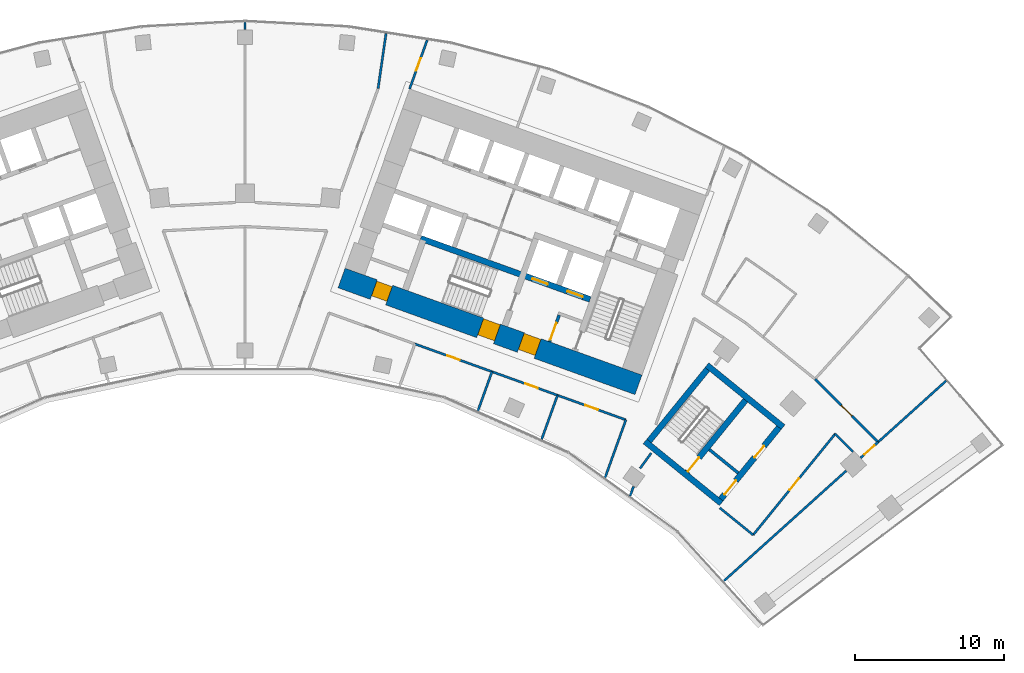
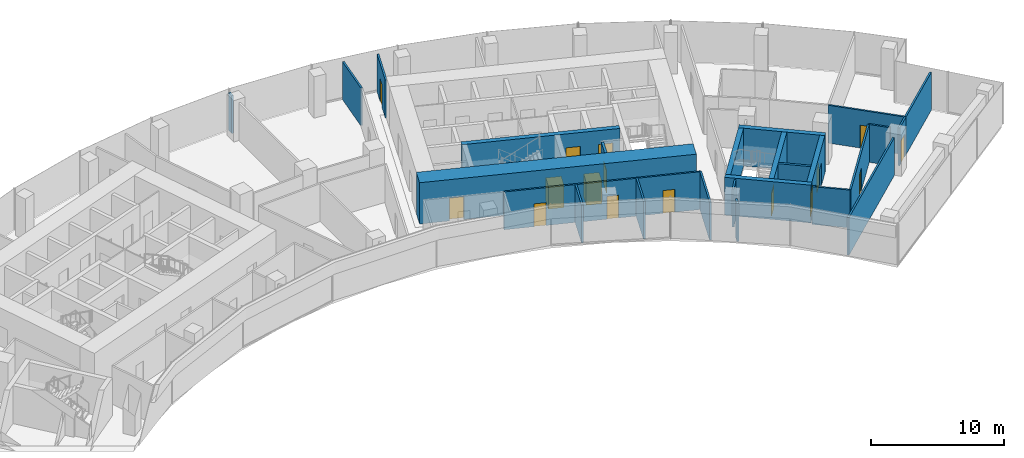
# One storey, part 16 of 21: 27 walls, 16 doors, 16 openings.
"""IFC4 building model written with IfcOpenShell, lengths in metres."""

from ifc_helpers import new_model, si_unit, direction, frame, frame_2d, origin, place, context, subcontext, project, spatial, rectangle, extrude, material, layer, layer_set, type_object, element, fill, save


model = new_model("IFC4")

# Units and contexts
model_context = context("Model", 3, precision=1e-05, world=origin(), true_north=direction((0.0, 1.0)))
body_context = subcontext(model_context, "Body", "Model", "MODEL_VIEW")
ifc_project = project(units=[si_unit("LENGTHUNIT", "METRE"), si_unit("AREAUNIT", "SQUARE_METRE"), si_unit("VOLUMEUNIT", "CUBIC_METRE"), si_unit("PLANEANGLEUNIT", "RADIAN"), si_unit("MASSUNIT", "GRAM", prefix="KILO")], contexts=[model_context])

# Site, building, storey
site_placement = place(None, origin())
site = spatial("IfcSite", under=ifc_project, at=site_placement, CompositionType="ELEMENT")
building_placement = place(site_placement, origin())
building = spatial("IfcBuilding", under=site, at=building_placement, Name="Stone Belt Terrace Tower", CompositionType="ELEMENT")
storey_placement = place(building_placement, frame((0.0, 0.0, 151.60009765625)))
storey = spatial("IfcBuildingStorey", under=building, at=storey_placement, Name="L36", CompositionType="ELEMENT", Elevation=151.60009765625)

# Wall, openings, doors
ifc_material_1 = material(Name="Concrete B80", Category="concrete")
ifc_layer_1 = layer(ifc_material_1, 1.39990234375)
ifc_layer_set_1 = layer_set([ifc_layer_1], Name="Core wall 1400 B80")
wall_type_1 = type_object("IfcWallType", Name="Core wall 1400 B80", PredefinedType="SHEAR", material=ifc_layer_set_1)
wall_1_placement = place(storey_placement, frame((6.4833984375, 49.318115234375, 0.0), z_axis=(0.0, 0.0, 1.0), x_axis=(0.940923374003, -0.33861955681, 0.0)))
wall_1 = element("IfcWall", 1, at=wall_1_placement, inside=storey, type_object=wall_type_1, Name="Core B wall concave L36", PredefinedType="SHEAR", context=body_context, shape_type="SweptSolid", body=[
    extrude(rectangle(XDim=21.199951171875, YDim=1.39990234375, at=frame_2d((10.60009765625, 0.0))), origin(), (0.0, 0.0, 1.0), 3.7998046875),
])
opening_1_placement = place(wall_1_placement, frame((12.800048828125, 0.0, 0.0)))
opening_1 = element("IfcOpeningElement", 2, at=opening_1_placement, cuts=wall_1, Name="Opening L36-C24", PredefinedType="OPENING", context=body_context, shape_type="SweptSolid", body=[
    extrude(rectangle(XDim=1.199951171875, YDim=2.10009765625, at=frame_2d((0.60009765625, 1.050048828125))), frame((0.0, 0.7099609375, 0.0), z_axis=(0.0, -1.0, 0.0), x_axis=(1.0, 0.0, 0.0)), (0.0, 0.0, 1.0), 1.419921875),
])
opening_2_placement = place(wall_1_placement, frame((9.89990234375, 0.0, 0.0)))
opening_2 = element("IfcOpeningElement", 3, at=opening_2_placement, cuts=wall_1, Name="Opening L36-C26", PredefinedType="OPENING", context=body_context, shape_type="SweptSolid", body=[
    extrude(rectangle(XDim=1.199951171875, YDim=2.10009765625, at=frame_2d((0.60009765625, 1.050048828125))), frame((0.0, 0.7099609375, 0.0), z_axis=(0.0, -1.0, 0.0), x_axis=(1.0, 0.0, 0.0)), (0.0, 0.0, 1.0), 1.419921875),
])
opening_3_placement = place(wall_1_placement, frame((2.300048828125, 0.0, 0.0)))
opening_3 = element("IfcOpeningElement", 4, at=opening_3_placement, cuts=wall_1, Name="Opening L36-C28", PredefinedType="OPENING", context=body_context, shape_type="SweptSolid", body=[
    extrude(rectangle(XDim=1.10009765625, YDim=2.10009765625, at=frame_2d((0.550048828125, 1.050048828125))), frame((0.0, 0.7099609375, 0.0), z_axis=(0.0, -1.0, 0.0), x_axis=(1.0, 0.0, 0.0)), (0.0, 0.0, 1.0), 1.419921875),
])
ifc_material_2 = material(Name="Timber door leaf", Category="wood")
door_type_1 = type_object("IfcDoorType", Name="Core room door 1100", OperationType="SINGLE_SWING_LEFT", PredefinedType="DOOR", material=ifc_material_2)
door_1_placement = place(opening_3_placement, origin())
door_1 = element("IfcDoor", 5, at=door_1_placement, inside=storey, type_object=door_type_1, Name="Door to Pipe riser core B", OperationType="SINGLE_SWING_LEFT", OverallHeight=2.10009765625, OverallWidth=1.10009765625, PredefinedType="DOOR", context=body_context, shape_type="SweptSolid", body=[
    extrude(rectangle(XDim=1.10009765625, YDim=2.10009765625, at=frame_2d((0.550048828125, 1.050048828125))), frame((0.0, 0.60498046875, 0.0), z_axis=(0.0, -1.0, 0.0), x_axis=(1.0, 0.0, 0.0)), (0.0, 0.0, 1.0), 1.050048828125),
])
fill(opening_3, door_1)
ifc_material_3 = material(Name="Steel door leaf", Category="steel")
door_type_2 = type_object("IfcDoorType", Name="Fire-fighting lobby door 1200", OperationType="SINGLE_SWING_LEFT", PredefinedType="DOOR", material=ifc_material_3)
door_2_placement = place(opening_1_placement, origin())
door_2 = element("IfcDoor", 6, at=door_2_placement, inside=storey, type_object=door_type_2, Name="Fire-fighting lobby door core B", OperationType="SINGLE_SWING_LEFT", OverallHeight=2.10009765625, OverallWidth=1.199951171875, PredefinedType="DOOR", context=body_context, shape_type="SweptSolid", body=[
    extrude(rectangle(XDim=1.199951171875, YDim=2.10009765625, at=frame_2d((0.60009765625, 1.050048828125))), frame((0.0, 0.655029296875, 0.0), z_axis=(0.0, -1.0, 0.0), x_axis=(1.0, 0.0, 0.0)), (0.0, 0.0, 1.0), 1.14990234375),
])
fill(opening_1, door_2)
door_type_3 = type_object("IfcDoorType", Name="Stair door 1200", OperationType="SINGLE_SWING_LEFT", PredefinedType="DOOR", material=ifc_material_3)
door_3_placement = place(opening_2_placement, origin())
door_3 = element("IfcDoor", 7, at=door_3_placement, inside=storey, type_object=door_type_3, Name="Stair 2 exit door core B", OperationType="SINGLE_SWING_RIGHT", OverallHeight=2.10009765625, OverallWidth=1.199951171875, PredefinedType="DOOR", context=body_context, shape_type="SweptSolid", body=[
    extrude(rectangle(XDim=1.199951171875, YDim=2.10009765625, at=frame_2d((0.60009765625, 1.050048828125))), frame((0.0, 0.655029296875, 0.0), z_axis=(0.0, -1.0, 0.0), x_axis=(1.0, 0.0, 0.0)), (0.0, 0.0, 1.0), 1.14990234375),
])
fill(opening_2, door_3)

# Wall, opening, door
ifc_material_4 = material(Name="Gypsum board partition")
ifc_layer_2 = layer(ifc_material_4, 0.14990234375)
ifc_layer_set_2 = layer_set([ifc_layer_2], Name="PARTITION 150 EI 60")
wall_type_2 = type_object("IfcWallType", Name="PARTITION 150 EI 60", PredefinedType="PARTITIONING", material=ifc_layer_set_2)
wall_2_placement = place(storey_placement, frame((12.23486328125, 65.296142578125, 0.0), z_axis=(0.0, 0.0, 1.0), x_axis=(-0.338942963923, -0.940806923448, 0.0)))
wall_2 = element("IfcWall", 8, at=wall_2_placement, inside=storey, type_object=wall_type_2, Name="L36/wall/i022", PredefinedType="PARTITIONING", context=body_context, shape_type="SweptSolid", body=[
    extrude(rectangle(XDim=3.481201171875, YDim=0.14990234375, at=frame_2d((1.74072265625, 0.0))), origin(), (0.0, 0.0, 1.0), 3.47998046875),
])
opening_4_placement = place(wall_2_placement, frame((1.29052734375, 0.0, 0.0)))
opening_4 = element("IfcOpeningElement", 9, at=opening_4_placement, cuts=wall_2, Name="Opening D-C1-11", PredefinedType="OPENING", context=body_context, shape_type="SweptSolid", body=[
    extrude(rectangle(XDim=0.89990234375, YDim=2.10009765625, at=frame_2d((0.449951171875, 1.050048828125))), frame((0.0, 0.0849609375, 0.0), z_axis=(0.0, -1.0, 0.0), x_axis=(1.0, 0.0, 0.0)), (0.0, 0.0, 1.0), 0.169921875),
])
door_type_4 = type_object("IfcDoorType", Name="OFFICE DOOR 900 X 2100", OperationType="NOTDEFINED", PredefinedType="DOOR", material=ifc_material_2)
door_4_placement = place(opening_4_placement, origin())
door_4 = element("IfcDoor", 10, at=door_4_placement, inside=storey, type_object=door_type_4, Name="L36/door/i11", OperationType="SINGLE_SWING_RIGHT", OverallHeight=2.10009765625, OverallWidth=0.89990234375, PredefinedType="DOOR", context=body_context, shape_type="SweptSolid", body=[
    extrude(rectangle(XDim=0.89990234375, YDim=2.10009765625, at=frame_2d((0.449951171875, 1.050048828125))), frame((0.0, 0.02490234375, 0.0), z_axis=(0.0, -1.0, 0.0), x_axis=(1.0, 0.0, 0.0)), (0.0, 0.0, 1.0), 0.050048828125),
])
fill(opening_4, door_4)

# Walls
wall_3_placement = place(storey_placement, frame((8.93798828125, 62.0439453125, 0.0), z_axis=(0.0, 0.0, 1.0), x_axis=(0.14267653425, 0.989769370396, 0.0)))
element("IfcWall", 11, at=wall_3_placement, inside=storey, type_object=wall_type_2, Name="L36/wall/i025", PredefinedType="PARTITIONING", context=body_context, shape_type="SweptSolid", body=[
    extrude(rectangle(XDim=3.730224609375, YDim=0.14990234375, at=frame_2d((1.865234375, 0.0))), origin(), (0.0, 0.0, 1.0), 3.47998046875),
])
wall_4_placement = place(storey_placement, frame((24.18603515625, 35.902099609375, 0.0), z_axis=(0.0, 0.0, 1.0), x_axis=(0.338545933013, 0.940949866486, 0.0)))
element("IfcWall", 12, at=wall_4_placement, inside=storey, type_object=wall_type_2, Name="L36/wall/i026", PredefinedType="PARTITIONING", context=body_context, shape_type="SweptSolid", body=[
    extrude(rectangle(XDim=4.135009765625, YDim=0.14990234375, at=frame_2d((2.0673828125, 0.0))), origin(), (0.0, 0.0, 1.0), 3.47998046875),
])
wall_5_placement = place(storey_placement, frame((27.282958984375, 37.552001953125, 0.0), z_axis=(0.0, 0.0, 1.0), x_axis=(-0.587851817093, -0.808968628032, 0.0)))
element("IfcWall", 13, at=wall_5_placement, inside=storey, type_object=wall_type_2, Name="L36/wall/i029", PredefinedType="PARTITIONING", context=body_context, shape_type="SweptSolid", body=[
    extrude(rectangle(XDim=1.270751953125, YDim=0.14990234375, at=frame_2d((0.63525390625, 0.0))), origin(), (0.0, 0.0, 1.0), 3.47998046875),
])
wall_6_placement = place(storey_placement, frame((26.101318359375, 35.318115234375, 0.0), z_axis=(0.0, 0.0, 1.0), x_axis=(-0.339176971689, -0.940722584972, 0.0)))
element("IfcWall", 14, at=wall_6_placement, inside=storey, type_object=wall_type_2, Name="L36/wall/i030", PredefinedType="PARTITIONING", context=body_context, shape_type="SweptSolid", body=[
    extrude(rectangle(XDim=0.68017578125, YDim=0.14990234375, at=frame_2d((0.340087890625, 0.0))), origin(), (0.0, 0.0, 1.0), 3.47998046875),
])

# Wall, opening, door
wall_7_placement = place(storey_placement, frame((16.596923828125, 43.02197265625, 0.0), z_axis=(0.0, 0.0, 1.0), x_axis=(-0.940944898778, 0.338559739874, 0.0)))
wall_7 = element("IfcWall", 15, at=wall_7_placement, inside=storey, type_object=wall_type_2, Name="L36/wall/i033", PredefinedType="PARTITIONING", context=body_context, shape_type="SweptSolid", body=[
    extrude(rectangle(XDim=5.520751953125, YDim=0.14990234375, at=frame_2d((2.76025390625, 0.0))), origin(), (0.0, 0.0, 1.0), 3.47998046875),
])
opening_5_placement = place(wall_7_placement, frame((2.310546875, 0.0, 0.0)))
opening_5 = element("IfcOpeningElement", 16, at=opening_5_placement, cuts=wall_7, Name="Opening D-C1-08", PredefinedType="OPENING", context=body_context, shape_type="SweptSolid", body=[
    extrude(rectangle(XDim=0.89990234375, YDim=2.10009765625, at=frame_2d((0.449951171875, 1.050048828125))), frame((0.0, 0.0849609375, 0.0), z_axis=(0.0, -1.0, 0.0), x_axis=(1.0, 0.0, 0.0)), (0.0, 0.0, 1.0), 0.169921875),
])
door_5_placement = place(opening_5_placement, origin())
door_5 = element("IfcDoor", 17, at=door_5_placement, inside=storey, type_object=door_type_4, Name="L36/door/i08", OperationType="SINGLE_SWING_RIGHT", OverallHeight=2.10009765625, OverallWidth=0.89990234375, PredefinedType="DOOR", context=body_context, shape_type="SweptSolid", body=[
    extrude(rectangle(XDim=0.89990234375, YDim=2.10009765625, at=frame_2d((0.449951171875, 1.050048828125))), frame((0.0, 0.02490234375, 0.0), z_axis=(0.0, -1.0, 0.0), x_axis=(1.0, 0.0, 0.0)), (0.0, 0.0, 1.0), 0.050048828125),
])
fill(opening_5, door_5)

wall_8_placement = place(storey_placement, frame((20.9970703125, 41.43798828125, 0.0), z_axis=(0.0, 0.0, 1.0), x_axis=(-0.940919266197, 0.338630970969, 0.0)))
wall_8 = element("IfcWall", 18, at=wall_8_placement, inside=storey, type_object=wall_type_2, Name="L36/wall/i034", PredefinedType="PARTITIONING", context=body_context, shape_type="SweptSolid", body=[
    extrude(rectangle(XDim=4.689208984375, YDim=0.14990234375, at=frame_2d((2.3447265625, 0.0))), origin(), (0.0, 0.0, 1.0), 3.47998046875),
])
opening_6_placement = place(wall_8_placement, frame((1.416259765625, 0.0, 0.0)))
opening_6 = element("IfcOpeningElement", 19, at=opening_6_placement, cuts=wall_8, Name="Opening D-C1-09", PredefinedType="OPENING", context=body_context, shape_type="SweptSolid", body=[
    extrude(rectangle(XDim=0.89990234375, YDim=2.10009765625, at=frame_2d((0.449951171875, 1.050048828125))), frame((0.0, 0.0849609375, 0.0), z_axis=(0.0, -1.0, 0.0), x_axis=(1.0, 0.0, 0.0)), (0.0, 0.0, 1.0), 0.169921875),
])
door_6_placement = place(opening_6_placement, origin())
door_6 = element("IfcDoor", 20, at=door_6_placement, inside=storey, type_object=door_type_4, Name="L36/door/i09", OperationType="SINGLE_SWING_LEFT", OverallHeight=2.10009765625, OverallWidth=0.89990234375, PredefinedType="DOOR", context=body_context, shape_type="SweptSolid", body=[
    extrude(rectangle(XDim=0.89990234375, YDim=2.10009765625, at=frame_2d((0.449951171875, 1.050048828125))), frame((0.0, 0.02490234375, 0.0), z_axis=(0.0, -1.0, 0.0), x_axis=(1.0, 0.0, 0.0)), (0.0, 0.0, 1.0), 0.050048828125),
])
fill(opening_6, door_6)

wall_9_placement = place(storey_placement, frame((25.583984375, 39.787109375, 0.0), z_axis=(0.0, 0.0, 1.0), x_axis=(-0.940940252997, 0.338572651421, 0.0)))
wall_9 = element("IfcWall", 21, at=wall_9_placement, inside=storey, type_object=wall_type_2, Name="L36/wall/i035", PredefinedType="PARTITIONING", context=body_context, shape_type="SweptSolid", body=[
    extrude(rectangle(XDim=4.887451171875, YDim=0.14990234375, at=frame_2d((2.44384765625, 0.0))), origin(), (0.0, 0.0, 1.0), 3.47998046875),
])
opening_7_placement = place(wall_9_placement, frame((1.993896484375, 0.0, 0.0)))
opening_7 = element("IfcOpeningElement", 22, at=opening_7_placement, cuts=wall_9, Name="Opening D-C1-10", PredefinedType="OPENING", context=body_context, shape_type="SweptSolid", body=[
    extrude(rectangle(XDim=0.89990234375, YDim=2.10009765625, at=frame_2d((0.449951171875, 1.050048828125))), frame((0.0, 0.0849609375, 0.0), z_axis=(0.0, -1.0, 0.0), x_axis=(1.0, 0.0, 0.0)), (0.0, 0.0, 1.0), 0.169921875),
])
door_7_placement = place(opening_7_placement, origin())
door_7 = element("IfcDoor", 23, at=door_7_placement, inside=storey, type_object=door_type_4, Name="L36/door/i10", OperationType="SINGLE_SWING_RIGHT", OverallHeight=2.10009765625, OverallWidth=0.89990234375, PredefinedType="DOOR", context=body_context, shape_type="SweptSolid", body=[
    extrude(rectangle(XDim=0.89990234375, YDim=2.10009765625, at=frame_2d((0.449951171875, 1.050048828125))), frame((0.0, 0.02490234375, 0.0), z_axis=(0.0, -1.0, 0.0), x_axis=(1.0, 0.0, 0.0)), (0.0, 0.0, 1.0), 0.050048828125),
])
fill(opening_7, door_7)

# Walls
wall_10_placement = place(storey_placement, frame((16.591064453125, 43.02392578125, 0.0), z_axis=(0.0, 0.0, 1.0), x_axis=(-0.338673128316, -0.940904092964, 0.0)))
element("IfcWall", 24, at=wall_10_placement, inside=storey, type_object=wall_type_2, Name="L36/wall/i037", PredefinedType="PARTITIONING", context=body_context, shape_type="SweptSolid", body=[
    extrude(rectangle(XDim=2.79833984375, YDim=0.14990234375, at=frame_2d((1.399169921875, 0.0))), origin(), (0.0, 0.0, 1.0), 3.47998046875),
])
wall_11_placement = place(storey_placement, frame((20.990966796875, 41.43994140625, 0.0), z_axis=(0.0, 0.0, 1.0), x_axis=(-0.338634168546, -0.940918115403, 0.0)))
element("IfcWall", 25, at=wall_11_placement, inside=storey, type_object=wall_type_2, Name="L36/wall/i038", PredefinedType="PARTITIONING", context=body_context, shape_type="SweptSolid", body=[
    extrude(rectangle(XDim=3.141845703125, YDim=0.14990234375, at=frame_2d((1.57080078125, 0.0))), origin(), (0.0, 0.0, 1.0), 3.47998046875),
])

# Wall, opening, door
wall_12_placement = place(storey_placement, frame((42.530029296875, 38.294921875, 0.0), z_axis=(0.0, 0.0, 1.0), x_axis=(-0.742885543222, -0.669418456327, 0.0)))
wall_12 = element("IfcWall", 26, at=wall_12_placement, inside=storey, type_object=wall_type_2, Name="L36/wall/i062", PredefinedType="PARTITIONING", context=body_context, shape_type="SweptSolid", body=[
    extrude(rectangle(XDim=1.5751953125, YDim=0.14990234375, at=frame_2d((0.78759765625, 0.0))), origin(), (0.0, 0.0, 1.0), 3.47998046875),
])
opening_8_placement = place(wall_12_placement, frame((0.337646484375, 0.0, 0.0)))
opening_8 = element("IfcOpeningElement", 27, at=opening_8_placement, cuts=wall_12, Name="Opening D-C1-20", PredefinedType="OPENING", context=body_context, shape_type="SweptSolid", body=[
    extrude(rectangle(XDim=0.89990234375, YDim=2.10009765625, at=frame_2d((0.449951171875, 1.050048828125))), frame((0.0, 0.0849609375, 0.0), z_axis=(0.0, -1.0, 0.0), x_axis=(1.0, 0.0, 0.0)), (0.0, 0.0, 1.0), 0.169921875),
])
ifc_material_5 = material(Name="Timber fire door leaf", Category="wood")
door_type_5 = type_object("IfcDoorType", Name="TENANCY ENTRANCE DOOR 900 X 2100", OperationType="NOTDEFINED", PredefinedType="DOOR", material=ifc_material_5)
door_8_placement = place(opening_8_placement, origin())
door_8 = element("IfcDoor", 28, at=door_8_placement, inside=storey, type_object=door_type_5, Name="L36/door/i20", OperationType="SINGLE_SWING_RIGHT", OverallHeight=2.10009765625, OverallWidth=0.89990234375, PredefinedType="DOOR", context=body_context, shape_type="SweptSolid", body=[
    extrude(rectangle(XDim=0.89990234375, YDim=2.10009765625, at=frame_2d((0.449951171875, 1.050048828125))), frame((0.0, 0.02490234375, 0.0), z_axis=(0.0, -1.0, 0.0), x_axis=(1.0, 0.0, 0.0)), (0.0, 0.0, 1.0), 0.050048828125),
])
fill(opening_8, door_8)

# Walls
wall_13_placement = place(storey_placement, frame((32.17529296875, 28.970947265625, 0.0), z_axis=(0.0, 0.0, 1.0), x_axis=(0.743128216334, 0.669149052221, 0.0)))
element("IfcWall", 29, at=wall_13_placement, inside=storey, type_object=wall_type_2, Name="L36/wall/i063", PredefinedType="PARTITIONING", context=body_context, shape_type="SweptSolid", body=[
    extrude(rectangle(XDim=11.048828125, YDim=0.14990234375, at=frame_2d((5.5244140625, 0.0))), origin(), (0.0, 0.0, 1.0), 3.47998046875),
])
wall_14_placement = place(storey_placement, frame((42.52197265625, 38.287109375, 0.0), z_axis=(0.0, 0.0, 1.0), x_axis=(0.743096733758, 0.669184013765, 0.0)))
element("IfcWall", 30, at=wall_14_placement, inside=storey, type_object=wall_type_2, Name="L36/wall/i064", PredefinedType="PARTITIONING", context=body_context, shape_type="SweptSolid", body=[
    extrude(rectangle(XDim=6.150390625, YDim=0.14990234375, at=frame_2d((3.0751953125, 0.0))), origin(), (0.0, 0.0, 1.0), 3.47998046875),
])
wall_15_placement = place(storey_placement, frame((40.83642578125, 37.650634765625, 0.0), z_axis=(0.0, 0.0, 1.0), x_axis=(-0.707178865062, 0.707034689962, 0.0)))
element("IfcWall", 31, at=wall_15_placement, inside=storey, type_object=wall_type_2, Name="L36/wall/i067", PredefinedType="PARTITIONING", context=body_context, shape_type="SweptSolid", body=[
    extrude(rectangle(XDim=1.693359375, YDim=0.14990234375, at=frame_2d((0.8466796875, 0.0))), origin(), (0.0, 0.0, 1.0), 3.47998046875),
])

# Wall, opening, door
wall_16_placement = place(storey_placement, frame((38.291015625, 42.52587890625, 0.0), z_axis=(0.0, 0.0, 1.0), x_axis=(0.707106781187, -0.707106781187, 0.0)))
wall_16 = element("IfcWall", 32, at=wall_16_placement, inside=storey, type_object=wall_type_2, Name="L36/wall/i072", PredefinedType="PARTITIONING", context=body_context, shape_type="SweptSolid", body=[
    extrude(rectangle(XDim=5.989013671875, YDim=0.14990234375, at=frame_2d((2.99462890625, 0.0))), origin(), (0.0, 0.0, 1.0), 3.47998046875),
])
opening_9_placement = place(wall_16_placement, frame((2.49462890625, 0.0, 0.0)))
opening_9 = element("IfcOpeningElement", 33, at=opening_9_placement, cuts=wall_16, Name="Opening D-C1-25", PredefinedType="OPENING", context=body_context, shape_type="SweptSolid", body=[
    extrude(rectangle(XDim=1.0, YDim=2.10009765625, at=frame_2d((0.5, 1.050048828125))), frame((0.0, 0.0849609375, 0.0), z_axis=(0.0, -1.0, 0.0), x_axis=(1.0, 0.0, 0.0)), (0.0, 0.0, 1.0), 0.169921875),
])
door_type_6 = type_object("IfcDoorType", Name="TENANCY ENTRANCE DOOR 1000 X 2100", OperationType="NOTDEFINED", PredefinedType="DOOR", material=ifc_material_5)
door_9_placement = place(opening_9_placement, origin())
door_9 = element("IfcDoor", 34, at=door_9_placement, inside=storey, type_object=door_type_6, Name="L36/door/i25", OperationType="SINGLE_SWING_RIGHT", OverallHeight=2.10009765625, OverallWidth=1.0, PredefinedType="DOOR", context=body_context, shape_type="SweptSolid", body=[
    extrude(rectangle(XDim=1.0, YDim=2.10009765625, at=frame_2d((0.5, 1.050048828125))), frame((0.0, 0.02490234375, 0.0), z_axis=(0.0, -1.0, 0.0), x_axis=(1.0, 0.0, 0.0)), (0.0, 0.0, 1.0), 0.050048828125),
])
fill(opening_9, door_9)

wall_17_placement = place(storey_placement, frame((34.133056640625, 32.055908203125, 0.0), z_axis=(0.0, 0.0, 1.0), x_axis=(0.630226712005, 0.776411161354, 0.0)))
wall_17 = element("IfcWall", 35, at=wall_17_placement, inside=storey, type_object=wall_type_2, Name="L36/wall/i073", PredefinedType="PARTITIONING", context=body_context, shape_type="SweptSolid", body=[
    extrude(rectangle(XDim=8.742919921875, YDim=0.14990234375, at=frame_2d((4.37158203125, 0.0))), origin(), (0.0, 0.0, 1.0), 3.47998046875),
])
opening_10_placement = place(wall_17_placement, frame((3.871337890625, 0.0, 0.0)))
opening_10 = element("IfcOpeningElement", 36, at=opening_10_placement, cuts=wall_17, Name="Opening D-C1-22", PredefinedType="OPENING", context=body_context, shape_type="SweptSolid", body=[
    extrude(rectangle(XDim=1.0, YDim=2.10009765625, at=frame_2d((0.5, 1.050048828125))), frame((0.0, 0.0849609375, 0.0), z_axis=(0.0, -1.0, 0.0), x_axis=(1.0, 0.0, 0.0)), (0.0, 0.0, 1.0), 0.169921875),
])
door_10_placement = place(opening_10_placement, origin())
door_10 = element("IfcDoor", 37, at=door_10_placement, inside=storey, type_object=door_type_6, Name="L36/door/i22", OperationType="SINGLE_SWING_RIGHT", OverallHeight=2.10009765625, OverallWidth=1.0, PredefinedType="DOOR", context=body_context, shape_type="SweptSolid", body=[
    extrude(rectangle(XDim=1.0, YDim=2.10009765625, at=frame_2d((0.5, 1.050048828125))), frame((0.0, 0.02490234375, 0.0), z_axis=(0.0, -1.0, 0.0), x_axis=(1.0, 0.0, 0.0)), (0.0, 0.0, 1.0), 0.050048828125),
])
fill(opening_10, door_10)

# Walls
wall_18_placement = place(storey_placement, frame((34.133056640625, 32.055908203125, 0.0), z_axis=(0.0, 0.0, 1.0), x_axis=(-0.776369956068, 0.630277471686, 0.0)))
element("IfcWall", 38, at=wall_18_placement, inside=storey, type_object=wall_type_2, Name="L36/wall/i074", PredefinedType="PARTITIONING", context=body_context, shape_type="SweptSolid", body=[
    extrude(rectangle(XDim=2.8876953125, YDim=0.14990234375, at=frame_2d((1.44384765625, 0.0))), origin(), (0.0, 0.0, 1.0), 3.47998046875),
])
wall_19_placement = place(storey_placement, frame((0.0, 66.5, 0.0), z_axis=(0.0, 0.0, 1.0), x_axis=(0.0, -1.0, 0.0)))
element("IfcWall", 39, at=wall_19_placement, inside=storey, type_object=wall_type_2, Name="L36/wall/i086", PredefinedType="PARTITIONING", context=body_context, shape_type="SweptSolid", body=[
    extrude(rectangle(XDim=0.481201171875, YDim=0.14990234375, at=frame_2d((0.24072265625, 0.0))), origin(), (0.0, 0.0, 1.0), 3.47998046875),
])

# Wall, opening, door
ifc_material_6 = material(Name="Concrete masonry block", Category="masonry")
ifc_layer_3 = layer(ifc_material_6, 0.199951171875)
ifc_layer_set_3 = layer_set([ifc_layer_3], Name="Rated lobby wall 200")
wall_type_3 = type_object("IfcWallType", Name="Rated lobby wall 200", PredefinedType="PARTITIONING", material=ifc_layer_set_3)
wall_20_placement = place(storey_placement, frame((20.4580078125, 45.032958984375, 0.0), z_axis=(0.0, 0.0, 1.0), x_axis=(0.338573865316, 0.940939816208, 0.0)))
wall_20 = element("IfcWall", 40, at=wall_20_placement, inside=storey, type_object=wall_type_3, Name="Core B wall", PredefinedType="PARTITIONING", context=body_context, shape_type="SweptSolid", body=[
    extrude(rectangle(XDim=1.900146484375, YDim=0.199951171875, at=frame_2d((0.9501953125, 0.0))), origin(), (0.0, 0.0, 1.0), 3.47998046875),
])
opening_11_placement = place(wall_20_placement, frame((0.14990234375, 0.0, 0.0)))
opening_11 = element("IfcOpeningElement", 41, at=opening_11_placement, cuts=wall_20, Name="Opening L36-C23", PredefinedType="OPENING", context=body_context, shape_type="SweptSolid", body=[
    extrude(rectangle(XDim=1.199951171875, YDim=2.10009765625, at=frame_2d((0.60009765625, 1.050048828125))), frame((0.0, 0.10986328125, 0.0), z_axis=(0.0, -1.0, 0.0), x_axis=(1.0, 0.0, 0.0)), (0.0, 0.0, 1.0), 0.219970703125),
])
door_11_placement = place(opening_11_placement, origin())
door_11 = element("IfcDoor", 42, at=door_11_placement, inside=storey, type_object=door_type_3, Name="Stair airlock door core B", OperationType="SINGLE_SWING_LEFT", OverallHeight=2.10009765625, OverallWidth=1.199951171875, PredefinedType="DOOR", context=body_context, shape_type="SweptSolid", body=[
    extrude(rectangle(XDim=1.199951171875, YDim=2.10009765625, at=frame_2d((0.60009765625, 1.050048828125))), frame((0.0, 0.02490234375, 0.0), z_axis=(0.0, -1.0, 0.0), x_axis=(1.0, 0.0, 0.0)), (0.0, 0.0, 1.0), 0.050048828125),
])
fill(opening_11, door_11)

# Wall
wall_21_placement = place(storey_placement, frame((31.190673828125, 37.79296875, 0.0), z_axis=(0.0, 0.0, 1.0), x_axis=(0.776370830301, -0.630276394813, 0.0)))
element("IfcWall", 43, at=wall_21_placement, inside=storey, type_object=wall_type_3, Name="Exit stair ST3B wall", PredefinedType="PARTITIONING", context=body_context, shape_type="SweptSolid", body=[
    extrude(rectangle(XDim=2.5, YDim=0.199951171875, at=frame_2d((1.25, 0.0))), origin(), (0.0, 0.0, 1.0), 3.47998046875),
])

# Wall, openings, doors
ifc_layer_4 = layer(ifc_material_1, 0.39990234375)
ifc_layer_set_4 = layer_set([ifc_layer_4], Name="Stair enclosure wall 400")
wall_type_4 = type_object("IfcWallType", Name="Stair enclosure wall 400", PredefinedType="SHEAR", material=ifc_layer_set_4)
wall_22_placement = place(storey_placement, frame((23.182373046875, 47.87841796875, 0.0), z_axis=(0.0, 0.0, 1.0), x_axis=(-0.940921101762, 0.338625870628, 0.0)))
wall_22 = element("IfcWall", 44, at=wall_22_placement, inside=storey, type_object=wall_type_4, Name="Core B wall", PredefinedType="SHEAR", context=body_context, shape_type="SweptSolid", body=[
    extrude(rectangle(XDim=12.10009765625, YDim=0.39990234375, at=frame_2d((6.050048828125, 0.0))), origin(), (0.0, 0.0, 1.0), 3.47998046875),
])
opening_12_placement = place(wall_22_placement, frame((0.52001953125, 0.0, 0.0)))
opening_12 = element("IfcOpeningElement", 45, at=opening_12_placement, cuts=wall_22, Name="Opening L36-LD14", PredefinedType="OPENING", context=body_context, shape_type="SweptSolid", body=[
    extrude(rectangle(XDim=1.10009765625, YDim=2.199951171875, at=frame_2d((0.550048828125, 1.10009765625))), frame((0.0, 0.2099609375, 0.0), z_axis=(0.0, -1.0, 0.0), x_axis=(1.0, 0.0, 0.0)), (0.0, 0.0, 1.0), 0.419921875),
])
opening_13_placement = place(wall_22_placement, frame((3.02001953125, 0.0, 0.0)))
opening_13 = element("IfcOpeningElement", 46, at=opening_13_placement, cuts=wall_22, Name="Opening L36-LD15", PredefinedType="OPENING", context=body_context, shape_type="SweptSolid", body=[
    extrude(rectangle(XDim=1.10009765625, YDim=2.199951171875, at=frame_2d((0.550048828125, 1.10009765625))), frame((0.0, 0.2099609375, 0.0), z_axis=(0.0, -1.0, 0.0), x_axis=(1.0, 0.0, 0.0)), (0.0, 0.0, 1.0), 0.419921875),
])
ifc_material_7 = material(Name="Stainless steel door leaf", Category="steel")
door_type_7 = type_object("IfcDoorType", Name="Landing door 1100", OperationType="SLIDING_TO_LEFT", PredefinedType="DOOR", material=ifc_material_7)
door_12_placement = place(opening_12_placement, origin())
door_12 = element("IfcDoor", 47, at=door_12_placement, inside=storey, type_object=door_type_7, Name="Landing door FF1 core B", OperationType="SLIDING_TO_LEFT", OverallHeight=2.199951171875, OverallWidth=1.10009765625, PredefinedType="DOOR", context=body_context, shape_type="SweptSolid", body=[
    extrude(rectangle(XDim=1.10009765625, YDim=2.199951171875, at=frame_2d((0.550048828125, 1.10009765625))), frame((0.0, 0.02490234375, 0.0), z_axis=(0.0, -1.0, 0.0), x_axis=(1.0, 0.0, 0.0)), (0.0, 0.0, 1.0), 0.050048828125),
])
fill(opening_12, door_12)
door_13_placement = place(opening_13_placement, origin())
door_13 = element("IfcDoor", 48, at=door_13_placement, inside=storey, type_object=door_type_7, Name="Landing door FF2 core B", OperationType="SLIDING_TO_LEFT", OverallHeight=2.199951171875, OverallWidth=1.10009765625, PredefinedType="DOOR", context=body_context, shape_type="SweptSolid", body=[
    extrude(rectangle(XDim=1.10009765625, YDim=2.199951171875, at=frame_2d((0.550048828125, 1.10009765625))), frame((0.0, 0.02490234375, 0.0), z_axis=(0.0, -1.0, 0.0), x_axis=(1.0, 0.0, 0.0)), (0.0, 0.0, 1.0), 0.050048828125),
])
fill(opening_13, door_13)

# Walls
wall_23_placement = place(storey_placement, frame((26.868408203125, 38.3388671875, 0.0), z_axis=(0.0, 0.0, 1.0), x_axis=(0.776428452498, -0.630205409491, 0.0)))
element("IfcWall", 49, at=wall_23_placement, inside=storey, type_object=wall_type_4, Name="Exit stair ST3B wall", PredefinedType="SHEAR", context=body_context, shape_type="SweptSolid", body=[
    extrude(rectangle(XDim=6.60009765625, YDim=0.39990234375, at=frame_2d((3.300048828125, 0.0))), origin(), (0.0, 0.0, 1.0), 3.47998046875),
])
wall_24_placement = place(storey_placement, frame((31.02783203125, 43.46337890625, 0.0), z_axis=(0.0, 0.0, 1.0), x_axis=(0.776413760801, -0.630223509589, 0.0)))
element("IfcWall", 50, at=wall_24_placement, inside=storey, type_object=wall_type_4, Name="Exit stair ST3B wall", PredefinedType="SHEAR", context=body_context, shape_type="SweptSolid", body=[
    extrude(rectangle(XDim=6.599853515625, YDim=0.39990234375, at=frame_2d((3.2998046875, 0.0))), origin(), (0.0, 0.0, 1.0), 3.47998046875),
])
wall_25_placement = place(storey_placement, frame((27.149658203125, 38.3681640625, 0.0), z_axis=(0.0, 0.0, 1.0), x_axis=(0.630211551729, 0.776423466973, 0.0)))
element("IfcWall", 51, at=wall_25_placement, inside=storey, type_object=wall_type_4, Name="Exit stair ST3B wall", PredefinedType="SHEAR", context=body_context, shape_type="SweptSolid", body=[
    extrude(rectangle(XDim=6.199951171875, YDim=0.39990234375, at=frame_2d((3.10009765625, 0.0))), origin(), (0.0, 0.0, 1.0), 3.47998046875),
])

# Wall, openings, doors
wall_26_placement = place(storey_placement, frame((31.963623046875, 34.460693359375, 0.0), z_axis=(0.0, 0.0, 1.0), x_axis=(0.630192283849, 0.776439106033, 0.0)))
wall_26 = element("IfcWall", 52, at=wall_26_placement, inside=storey, type_object=wall_type_4, Name="Exit stair ST3B wall", PredefinedType="SHEAR", context=body_context, shape_type="SweptSolid", body=[
    extrude(rectangle(XDim=6.199951171875, YDim=0.39990234375, at=frame_2d((3.10009765625, 0.0))), origin(), (0.0, 0.0, 1.0), 3.47998046875),
])
opening_14_placement = place(wall_26_placement, frame((0.39990234375, 0.0, 0.0)))
opening_14 = element("IfcOpeningElement", 53, at=opening_14_placement, cuts=wall_26, Name="Opening L36-C33", PredefinedType="OPENING", context=body_context, shape_type="SweptSolid", body=[
    extrude(rectangle(XDim=1.199951171875, YDim=2.10009765625, at=frame_2d((0.60009765625, 1.050048828125))), frame((0.0, 0.2099609375, 0.0), z_axis=(0.0, -1.0, 0.0), x_axis=(1.0, 0.0, 0.0)), (0.0, 0.0, 1.0), 0.419921875),
])
opening_15_placement = place(wall_26_placement, frame((3.60009765625, 0.0, 0.0)))
opening_15 = element("IfcOpeningElement", 54, at=opening_15_placement, cuts=wall_26, Name="Opening L36-C34", PredefinedType="OPENING", context=body_context, shape_type="SweptSolid", body=[
    extrude(rectangle(XDim=1.0, YDim=2.10009765625, at=frame_2d((0.5, 1.050048828125))), frame((0.0, 0.2099609375, 0.0), z_axis=(0.0, -1.0, 0.0), x_axis=(1.0, 0.0, 0.0)), (0.0, 0.0, 1.0), 0.419921875),
])
door_type_8 = type_object("IfcDoorType", Name="Core room door 1000", OperationType="SINGLE_SWING_LEFT", PredefinedType="DOOR", material=ifc_material_2)
door_14_placement = place(opening_15_placement, origin())
door_14 = element("IfcDoor", 55, at=door_14_placement, inside=storey, type_object=door_type_8, Name="Door to stair pressurisation plant room ST3B", OperationType="SINGLE_SWING_RIGHT", OverallHeight=2.10009765625, OverallWidth=1.0, PredefinedType="DOOR", context=body_context, shape_type="SweptSolid", body=[
    extrude(rectangle(XDim=1.0, YDim=2.10009765625, at=frame_2d((0.5, 1.050048828125))), frame((0.0, 0.02490234375, 0.0), z_axis=(0.0, -1.0, 0.0), x_axis=(1.0, 0.0, 0.0)), (0.0, 0.0, 1.0), 0.050048828125),
])
fill(opening_15, door_14)
door_type_9 = type_object("IfcDoorType", Name="Stair airlock door 1200", OperationType="SINGLE_SWING_LEFT", PredefinedType="DOOR", material=ifc_material_3)
door_15_placement = place(opening_14_placement, origin())
door_15 = element("IfcDoor", 56, at=door_15_placement, inside=storey, type_object=door_type_9, Name="Stair airlock door ST3B", OperationType="SINGLE_SWING_RIGHT", OverallHeight=2.10009765625, OverallWidth=1.199951171875, PredefinedType="DOOR", context=body_context, shape_type="SweptSolid", body=[
    extrude(rectangle(XDim=1.199951171875, YDim=2.10009765625, at=frame_2d((0.60009765625, 1.050048828125))), frame((0.0, 0.02490234375, 0.0), z_axis=(0.0, -1.0, 0.0), x_axis=(1.0, 0.0, 0.0)), (0.0, 0.0, 1.0), 0.050048828125),
])
fill(opening_14, door_15)

# Wall, opening, door
wall_27_placement = place(storey_placement, frame((29.7119140625, 36.288330078125, 0.0), z_axis=(0.0, 0.0, 1.0), x_axis=(0.630192283849, 0.776439106033, 0.0)))
wall_27 = element("IfcWall", 57, at=wall_27_placement, inside=storey, type_object=wall_type_4, Name="Exit stair ST3B wall", PredefinedType="SHEAR", context=body_context, shape_type="SweptSolid", body=[
    extrude(rectangle(XDim=6.199951171875, YDim=0.39990234375, at=frame_2d((3.10009765625, 0.0))), origin(), (0.0, 0.0, 1.0), 3.47998046875),
])
opening_16_placement = place(wall_27_placement, frame((0.050048828125, 0.0, 0.0)))
opening_16 = element("IfcOpeningElement", 58, at=opening_16_placement, cuts=wall_27, Name="Opening L36-C32", PredefinedType="OPENING", context=body_context, shape_type="SweptSolid", body=[
    extrude(rectangle(XDim=1.199951171875, YDim=2.10009765625, at=frame_2d((0.60009765625, 1.050048828125))), frame((0.0, 0.2099609375, 0.0), z_axis=(0.0, -1.0, 0.0), x_axis=(1.0, 0.0, 0.0)), (0.0, 0.0, 1.0), 0.419921875),
])
door_16_placement = place(opening_16_placement, origin())
door_16 = element("IfcDoor", 59, at=door_16_placement, inside=storey, type_object=door_type_3, Name="Stair door ST3B", OperationType="SINGLE_SWING_LEFT", OverallHeight=2.10009765625, OverallWidth=1.199951171875, PredefinedType="DOOR", context=body_context, shape_type="SweptSolid", body=[
    extrude(rectangle(XDim=1.199951171875, YDim=2.10009765625, at=frame_2d((0.60009765625, 1.050048828125))), frame((0.0, 0.02490234375, 0.0), z_axis=(0.0, -1.0, 0.0), x_axis=(1.0, 0.0, 0.0)), (0.0, 0.0, 1.0), 0.050048828125),
])
fill(opening_16, door_16)

save(model, "model.ifc")
